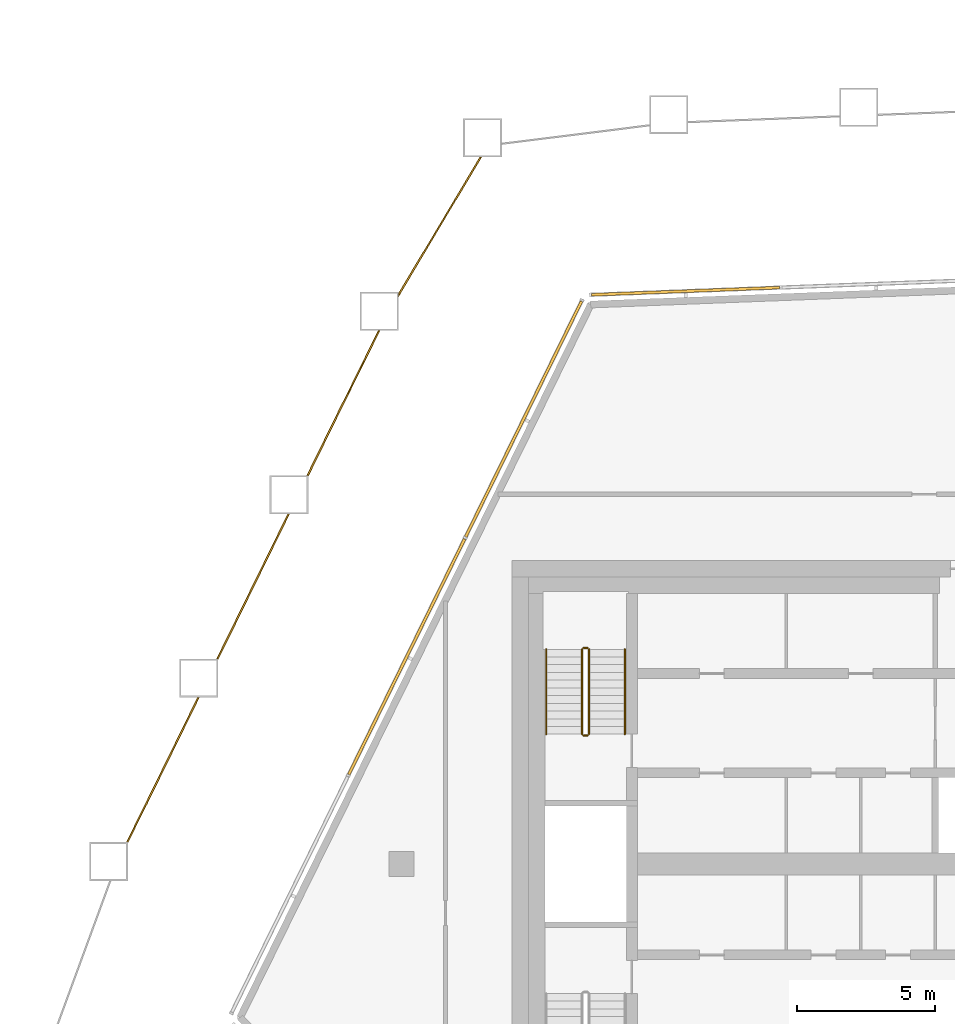
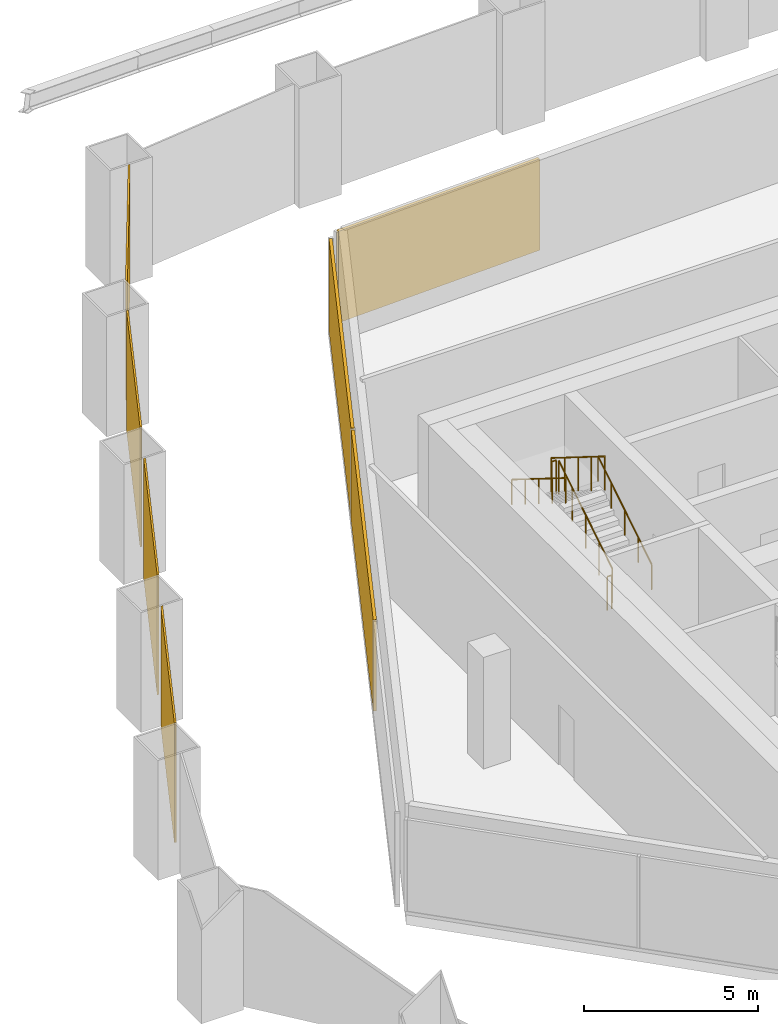
# One storey, part 16 of 18: 7 coverings, 6 railings, 2 elements without a shape of their own.
"""IFC4 building model written with IfcOpenShell, lengths in metres."""

import ifcopenshell
import ifcopenshell.guid

model = None  # the IFC model being written
_history = None  # IfcOwnerHistory: only IFC2X3 demands one
_inside = {}  # id of a spatial element -> (the spatial element, [elements in it])
_under = {}  # id of a project, library or spatial element -> (it, [spatial elements below it])
_declared = {}  # id of a project -> (the project, [libraries it declares])
_typed = {}  # id of a type object -> (the type object, [elements of that type])
_made_of = {}  # id of a material, layer set ... -> (it, [elements and type objects made of it])


def new_model(schema):
    """Start an empty IFC model of exactly this schema.

    Asked for "IFC4X3", IfcOpenShell would pick the latest addendum, in which some entities
    have other attributes; the version numbers below select the first issue.
    IFC2X3 requires an IfcOwnerHistory on every rooted entity: one is made here for all.
    """
    global model, _history
    if schema == "IFC4X3":
        model = ifcopenshell.file(schema_version=(4, 3, 0, 0))
    else:
        model = ifcopenshell.file(schema=schema)
    _inside.clear()
    _under.clear()
    _declared.clear()
    _typed.clear()
    _made_of.clear()
    _history = None
    if model.schema == "IFC2X3":
        org = make("IfcOrganization", Name="unknown")
        user = make(
            "IfcPersonAndOrganization",
            ThePerson=make("IfcPerson", FamilyName="unknown"),
            TheOrganization=org,
        )
        app = make(
            "IfcApplication",
            ApplicationDeveloper=org,
            Version="unknown",
            ApplicationFullName="unknown",
            ApplicationIdentifier="unknown",
        )
        _history = make(
            "IfcOwnerHistory",
            OwningUser=user,
            OwningApplication=app,
            ChangeAction="ADDED",
            CreationDate=0,
        )
    return model


def make(cls, **values):
    """One entity of the class cls with the attributes given. An attribute that is None is left unset."""
    return model.create_entity(
        cls, **{name: value for name, value in values.items() if value is not None}
    )


def rooted(cls, **values):
    """An entity with a GlobalId (a new one), such as an element, a storey or a relation."""
    return make(cls, GlobalId=ifcopenshell.guid.new(), OwnerHistory=_history, **values)


def si_unit(unit_type, name, prefix=None):
    """IfcSIUnit, for example si_unit("LENGTHUNIT", "METRE", prefix="MILLI")."""
    return make("IfcSIUnit", UnitType=unit_type, Prefix=prefix, Name=name)


def assignment(units):
    """IfcUnitAssignment: the units of a project."""
    return None if units is None else make("IfcUnitAssignment", Units=units)


def point(xyz):
    """IfcCartesianPoint."""
    return None if xyz is None else make("IfcCartesianPoint", Coordinates=xyz)


def direction(xyz):
    """IfcDirection."""
    return None if xyz is None else make("IfcDirection", DirectionRatios=xyz)


def frame(location, z_axis=None, x_axis=None):
    """IfcAxis2Placement3D, a coordinate frame: its origin and axes. An axis left out is left unset."""
    return make(
        "IfcAxis2Placement3D",
        Location=point(location),
        Axis=direction(z_axis),
        RefDirection=direction(x_axis),
    )


def frame_2d(location, x_axis=None):
    """IfcAxis2Placement2D, a coordinate frame in the plane: its origin and x axis."""
    return make(
        "IfcAxis2Placement2D", Location=point(location), RefDirection=direction(x_axis)
    )


def origin():
    """The frame at (0, 0, 0) with its axes left unset."""
    return frame((0.0, 0.0, 0.0))


def origin_2d():
    """The frame at (0, 0) in the plane with its x axis left unset."""
    return frame_2d((0.0, 0.0))


def place(relative_to, where):
    """IfcLocalPlacement: puts the frame where relative to a parent placement (None: the world)."""
    return make(
        "IfcLocalPlacement", PlacementRelTo=relative_to, RelativePlacement=where
    )


def context(
    kind, dimensions, precision=None, world=None, true_north=None, identifier=None
):
    """IfcGeometricRepresentationContext, for example the 3D "Model" context."""
    return make(
        "IfcGeometricRepresentationContext",
        ContextIdentifier=identifier,
        ContextType=kind,
        CoordinateSpaceDimension=dimensions,
        Precision=precision,
        WorldCoordinateSystem=world,
        TrueNorth=true_north,
    )


def subcontext(parent, identifier, kind, view, scale=None):
    """IfcGeometricRepresentationSubContext, for example "Body" below "Model"."""
    return make(
        "IfcGeometricRepresentationSubContext",
        ContextIdentifier=identifier,
        ContextType=kind,
        ParentContext=parent,
        TargetScale=scale,
        TargetView=view,
    )


def project(units=None, contexts=None):
    """IfcProject with its units and contexts."""
    return rooted(
        "IfcProject",
        Name="project",
        RepresentationContexts=contexts,
        UnitsInContext=assignment(units),
    )


def spatial(cls, under=None, at=None, **own):
    """A site, building, storey or space (cls), placed at a placement, below another one or the project."""
    s = rooted(cls, ObjectPlacement=at, **own)
    if under is not None:
        _under.setdefault(under.id(), (under, []))[1].append(s)
    return s


def polyline(points):
    """IfcPolyline through the points."""
    return make("IfcPolyline", Points=[point(p) for p in points])


def profile(cls, at=None, kind="AREA", **sizes):
    """A parametric profile (cls). Its sizes go by their IFC names, for example OverallWidth=200.0."""
    return make(cls, ProfileType=kind, Position=at, **sizes)


def rectangle(**sizes):
    """IfcRectangleProfileDef."""
    return profile("IfcRectangleProfileDef", **sizes)


def circle(**sizes):
    """IfcCircleProfileDef."""
    return profile("IfcCircleProfileDef", **sizes)


def outline(outer, holes=None, kind="AREA"):
    """IfcArbitraryClosedProfileDef: a profile drawn as a closed curve; with holes, ...WithVoids."""
    if holes is None:
        return make("IfcArbitraryClosedProfileDef", ProfileType=kind, OuterCurve=outer)
    return make(
        "IfcArbitraryProfileDefWithVoids",
        ProfileType=kind,
        OuterCurve=outer,
        InnerCurves=holes,
    )


def extrude(swept, where, along, depth):
    """IfcExtrudedAreaSolid: the profile swept, set in the frame where, extruded along a direction by depth."""
    return make(
        "IfcExtrudedAreaSolid",
        SweptArea=swept,
        Position=where,
        ExtrudedDirection=direction(along),
        Depth=depth,
    )


def shape(context_of_items, identifier, shape_type, items):
    """IfcShapeRepresentation: the items that make up one representation, for example the "Body"."""
    return make(
        "IfcShapeRepresentation",
        ContextOfItems=context_of_items,
        RepresentationIdentifier=identifier,
        RepresentationType=shape_type,
        Items=items,
    )


def material(Name=None, Category=None):
    """IfcMaterial."""
    return make("IfcMaterial", Name=Name, Category=Category)


def layer(
    of_material, thickness, ventilated=None, Name=None, Category=None, Priority=None
):
    """IfcMaterialLayer: one layer of a wall or slab, of a material (None: an air gap)."""
    return make(
        "IfcMaterialLayer",
        Material=of_material,
        LayerThickness=thickness,
        IsVentilated=ventilated,
        Name=Name,
        Category=Category,
        Priority=Priority,
    )


def layer_set(layers, Name=None):
    """IfcMaterialLayerSet."""
    return make("IfcMaterialLayerSet", MaterialLayers=layers, LayerSetName=Name)


def made_of(thing, what):
    """Note that an element or type object is made of a material, layer set ...; save() writes the relation."""
    if what is not None:
        _made_of.setdefault(what.id(), (what, []))[1].append(thing)
    return thing


def type_object(cls, material=None, **own):
    """A type object (cls), such as IfcWallType, which elements share."""
    return made_of(rooted(cls, **own), material)


def element(
    cls,
    number,
    at=None,
    inside=None,
    cuts=None,
    type_object=None,
    material=None,
    context=None,
    identifier="Body",
    shape_type=None,
    held_by="IfcProductDefinitionShape",
    body=None,
    shapes=None,
    **own,
):
    """One element of the class cls, such as IfcWall. Its Tag is "e" and its number.

    at: its placement. inside: the storey or other place that contains it. cuts: it is an
    opening in that element (IfcRelVoidsElement). A single representation is given by context,
    identifier, shape_type and body (its items); several are given by shapes. held_by: the class
    of the entity that holds the representations. save() writes the other relations.
    """
    e = rooted(cls, Tag="e%d" % number, ObjectPlacement=at, **own)
    if body is not None:
        shapes = [shape(context, identifier, shape_type, body)]
    if shapes is not None:
        e.Representation = make(held_by, Representations=shapes)
    if inside is not None:
        _inside.setdefault(inside.id(), (inside, []))[1].append(e)
    if cuts is not None:
        rooted(
            "IfcRelVoidsElement", RelatingBuildingElement=cuts, RelatedOpeningElement=e
        )
    if type_object is not None:
        _typed.setdefault(type_object.id(), (type_object, []))[1].append(e)
    return made_of(e, material)


def aggregate(whole, parts):
    """IfcRelAggregates: a whole, such as a stair, and the parts it consists of."""
    return rooted("IfcRelAggregates", RelatingObject=whole, RelatedObjects=parts)


def save(model, path):
    """Write the relations noted so far, then the file.

    IfcRelAggregates (storeys below a building ...), IfcRelContainedInSpatialStructure (elements
    in a storey), IfcRelDefinesByType, IfcRelAssociatesMaterial and IfcRelDeclares: one each for
    every whole, place, type object, material and project.
    """
    for whole, parts in _under.values():
        aggregate(whole, parts)
    for where, things in _inside.values():
        rooted(
            "IfcRelContainedInSpatialStructure",
            RelatedElements=things,
            RelatingStructure=where,
        )
    for kind, things in _typed.values():
        rooted("IfcRelDefinesByType", RelatedObjects=things, RelatingType=kind)
    for what, things in _made_of.values():
        rooted("IfcRelAssociatesMaterial", RelatedObjects=things, RelatingMaterial=what)
    for by, libraries in _declared.values():
        rooted("IfcRelDeclares", RelatingContext=by, RelatedDefinitions=libraries)
    model.write(path)


model = new_model("IFC4")

# Units and contexts
model_context = context("Model", 3, precision=1e-05, world=origin(), true_north=direction((0.0, 1.0)))
body_context = subcontext(model_context, "Body", "Model", "MODEL_VIEW")
ifc_project = project(units=[si_unit("LENGTHUNIT", "METRE"), si_unit("AREAUNIT", "SQUARE_METRE"), si_unit("VOLUMEUNIT", "CUBIC_METRE"), si_unit("PLANEANGLEUNIT", "RADIAN"), si_unit("MASSUNIT", "GRAM", prefix="KILO")], contexts=[model_context])

# Site, building, storey
site_placement = place(None, origin())
site = spatial("IfcSite", under=ifc_project, at=site_placement, CompositionType="ELEMENT")
building_placement = place(site_placement, origin())
building = spatial("IfcBuilding", under=site, at=building_placement, Name="Dongbaek Canopy Tower", CompositionType="ELEMENT")
storey_placement = place(building_placement, frame((0.0, 0.0, 371.60009765625)))
storey = spatial("IfcBuildingStorey", under=building, at=storey_placement, Name="L80", CompositionType="ELEMENT", Elevation=371.60009765625)

# Coverings
ifc_material_1 = material(Name="Perforated pale metal")
ifc_layer_1 = layer(ifc_material_1, 0.06005859375)
ifc_layer_set_1 = layer_set([ifc_layer_1], Name="Crown plant screen")
covering_type_1 = type_object("IfcCoveringType", Name="Crown plant screen", PredefinedType="CLADDING", material=ifc_layer_set_1)
covering_1_placement = place(storey_placement, origin())
element("IfcCovering", 1, at=covering_1_placement, inside=storey, type_object=covering_type_1, Name="Crown plant screen 22 L80", PredefinedType="CLADDING", context=body_context, shape_type="SweptSolid", body=[
    extrude(outline(polyline([(-15.16455078125, 25.62109375), (-15.0947265625, 25.62109375), (-18.10595703125, 20.562744140625), (-18.10595703125, 20.679931640625), (-15.16455078125, 25.62109375)])), origin(), (0.0, 0.0, 1.0), 4.199951171875),
])
covering_2_placement = place(storey_placement, origin())
element("IfcCovering", 2, at=covering_2_placement, inside=storey, type_object=covering_type_1, Name="Crown plant screen 23 L80", PredefinedType="CLADDING", context=body_context, shape_type="SweptSolid", body=[
    extrude(outline(polyline([(-18.849365234375, 19.33203125), (-18.78271484375, 19.33203125), (-21.3759765625, 14.0595703125), (-21.3759765625, 14.083984375), (-21.430908203125, 14.083984375), (-18.849365234375, 19.33203125)])), origin(), (0.0, 0.0, 1.0), 4.199951171875),
])
covering_3_placement = place(storey_placement, origin())
element("IfcCovering", 3, at=covering_3_placement, inside=storey, type_object=covering_type_1, Name="Crown plant screen 24 L80", PredefinedType="CLADDING", context=body_context, shape_type="SweptSolid", body=[
    extrude(outline(polyline([(-22.119384765625, 12.68408203125), (-22.052490234375, 12.68408203125), (-24.64697265625, 7.410400390625), (-24.64697265625, 7.43505859375), (-24.70166015625, 7.43505859375), (-22.119384765625, 12.68408203125)])), origin(), (0.0, 0.0, 1.0), 4.199951171875),
])
covering_4_placement = place(storey_placement, origin())
element("IfcCovering", 4, at=covering_4_placement, inside=storey, type_object=covering_type_1, Name="Crown plant screen 25 L80", PredefinedType="CLADDING", context=body_context, shape_type="SweptSolid", body=[
    extrude(outline(polyline([(-25.390380859375, 6.034912109375), (-25.323486328125, 6.034912109375), (-27.9169921875, 0.76171875), (-27.9169921875, 0.785888671875), (-27.971923828125, 0.785888671875), (-25.390380859375, 6.034912109375)])), origin(), (0.0, 0.0, 1.0), 4.199951171875),
])

# Curtain wall, covering
ifc_material_2 = material(Name="Aluminium 6063-T6 pale anodised", Category="aluminium")
ifc_layer_2 = layer(ifc_material_2, 0.14990234375)
ifc_layer_set_2 = layer_set([ifc_layer_2], Name="CW-7 louvre curtain wall")
curtain_wall_type = type_object("IfcCurtainWallType", Name="CW-7 louvre curtain wall", PredefinedType="NOTDEFINED", material=ifc_layer_set_2)
curtain_wall_1_placement = place(storey_placement, origin())
curtain_wall_1 = element("IfcCurtainWall", 5, at=curtain_wall_1_placement, inside=storey, type_object=curtain_wall_type, Name="CW-7 louvre wall L80 F3", PredefinedType="NOTDEFINED")
ifc_material_3 = material(Name="Aluminium 6063-T6 pale metal louvre blades", Category="aluminium")
ifc_layer_3 = layer(ifc_material_3, 0.10009765625)
ifc_layer_set_3 = layer_set([ifc_layer_3], Name="Louvre LV bank 100 x 3200")
covering_type_2 = type_object("IfcCoveringType", Name="Louvre LV bank 100 x 3200", PredefinedType="CLADDING", material=ifc_layer_set_3)
covering_5_placement = place(storey_placement, frame((-7.6982421875, 20.76171875, 0.2998046875), z_axis=(0.0, 0.0, 1.0), x_axis=(-0.999268890611, -0.038231979514, 0.0)))
covering_5 = element("IfcCovering", 6, at=covering_5_placement, type_object=covering_type_2, Name="Louvre L80 F3.1.3", PredefinedType="CLADDING", context=body_context, shape_type="SweptSolid", body=[
    extrude(rectangle(XDim=6.822265625, YDim=0.10009765625, at=origin_2d()), origin(), (0.0, 0.0, 1.0), 3.199951171875),
])
aggregate(curtain_wall_1, [covering_5])

# Curtain wall, coverings
curtain_wall_2_placement = place(storey_placement, origin())
curtain_wall_2 = element("IfcCurtainWall", 7, at=curtain_wall_2_placement, inside=storey, type_object=curtain_wall_type, Name="CW-7 louvre wall L80 F4", PredefinedType="NOTDEFINED")
covering_6_placement = place(storey_placement, frame((-13.5712890625, 16.126220703125, 0.2998046875), z_axis=(0.0, 0.0, 1.0), x_axis=(-0.441341619439, -0.897339163834, 0.0)))
covering_6 = element("IfcCovering", 8, at=covering_6_placement, type_object=covering_type_2, Name="Louvre L80 F4.1.1", PredefinedType="CLADDING", context=body_context, shape_type="SweptSolid", body=[
    extrude(rectangle(XDim=9.51171875, YDim=0.10009765625, at=origin_2d()), origin(), (0.0, 0.0, 1.0), 3.199951171875),
])
covering_7_placement = place(storey_placement, frame((-17.808837890625, 7.51025390625, 0.2998046875), z_axis=(0.0, 0.0, 1.0), x_axis=(-0.441341619439, -0.897339163834, 0.0)))
covering_7 = element("IfcCovering", 9, at=covering_7_placement, type_object=covering_type_2, Name="Louvre L80 F4.1.2", PredefinedType="CLADDING", context=body_context, shape_type="SweptSolid", body=[
    extrude(rectangle(XDim=9.51171875, YDim=0.10009765625, at=origin_2d()), origin(), (0.0, 0.0, 1.0), 3.199951171875),
])
aggregate(curtain_wall_2, [covering_6, covering_7])

# Railings
ifc_material_4 = material(Name="Stainless steel tube and balusters", Category="steel")
railing_type_1 = type_object("IfcRailingType", Name="Stair guard 1200", PredefinedType="GUARDRAIL", material=ifc_material_4)
railing_1_placement = place(storey_placement, frame((-11.199951171875, 4.699951171875, 0.1748046875)))
element("IfcRailing", 10, at=railing_1_placement, inside=storey, type_object=railing_type_1, Name="L80 ST-C stair guard 1", PredefinedType="GUARDRAIL", context=body_context, shape_type="SweptSolid", body=[
    extrude(circle(Radius=0.02392578125, at=origin_2d()), frame((0.0, 0.0, 1.17578125), z_axis=(0.0, 0.847998304005, 0.529998940003), x_axis=(-1.0, 0.0, 0.0)), (0.0, 0.0, 1.0), 3.632080078125),
    extrude(circle(Radius=0.02099609375, at=origin_2d()), origin(), (0.0, 0.0, 1.0), 1.15185546875),
    extrude(circle(Radius=0.02099609375, at=origin_2d()), frame((0.0, 0.77001953125, 0.481201171875)), (0.0, 0.0, 1.0), 1.15185546875),
    extrude(circle(Radius=0.02099609375, at=origin_2d()), frame((0.0, 1.5400390625, 0.96240234375)), (0.0, 0.0, 1.0), 1.15185546875),
    extrude(circle(Radius=0.02099609375, at=origin_2d()), frame((0.0, 2.31005859375, 1.44384765625)), (0.0, 0.0, 1.0), 1.15185546875),
    extrude(circle(Radius=0.02099609375, at=origin_2d()), frame((0.0, 3.080078125, 1.925048828125)), (0.0, 0.0, 1.0), 1.15185546875),
])
railing_2_placement = place(storey_placement, frame((-11.25, 7.830078125, 2.099853515625)))
element("IfcRailing", 11, at=railing_2_placement, inside=storey, type_object=railing_type_1, Name="L80 ST-C stair guard 2", PredefinedType="GUARDRAIL", context=body_context, shape_type="SweptSolid", body=[
    extrude(circle(Radius=0.02392578125, at=origin_2d()), frame((0.0, 0.0, 1.17578125), z_axis=(-1.0, 0.0, 0.0), x_axis=(0.0, -1.0, 0.0)), (0.0, 0.0, 1.0), 0.14990234375),
    extrude(circle(Radius=0.02099609375, at=origin_2d()), origin(), (0.0, 0.0, 1.0), 1.15185546875),
    extrude(circle(Radius=0.02099609375, at=origin_2d()), frame((-0.14990234375, 0.0, 0.0)), (0.0, 0.0, 1.0), 1.15185546875),
])
railing_3_placement = place(storey_placement, frame((-11.449951171875, 7.780029296875, 2.27490234375)))
element("IfcRailing", 12, at=railing_3_placement, inside=storey, type_object=railing_type_1, Name="L80 ST-C stair guard 3", PredefinedType="GUARDRAIL", context=body_context, shape_type="SweptSolid", body=[
    extrude(circle(Radius=0.02392578125, at=origin_2d()), frame((0.0, 0.0, 1.17578125), z_axis=(0.0, -0.847998304005, 0.529998940003), x_axis=(1.0, 0.0, 0.0)), (0.0, 0.0, 1.0), 3.632080078125),
    extrude(circle(Radius=0.02099609375, at=origin_2d()), origin(), (0.0, 0.0, 1.0), 1.15185546875),
    extrude(circle(Radius=0.02099609375, at=origin_2d()), frame((0.0, -0.77001953125, 0.481201171875)), (0.0, 0.0, 1.0), 1.15185546875),
    extrude(circle(Radius=0.02099609375, at=origin_2d()), frame((0.0, -1.5400390625, 0.96240234375)), (0.0, 0.0, 1.0), 1.15185546875),
    extrude(circle(Radius=0.02099609375, at=origin_2d()), frame((0.0, -2.31005859375, 1.44384765625)), (0.0, 0.0, 1.0), 1.15185546875),
    extrude(circle(Radius=0.02099609375, at=origin_2d()), frame((0.0, -3.080078125, 1.925048828125)), (0.0, 0.0, 1.0), 1.15185546875),
])
railing_4_placement = place(storey_placement, frame((-11.25, 4.64990234375, 0.0)))
element("IfcRailing", 13, at=railing_4_placement, inside=storey, type_object=railing_type_1, Name="L80 ST-C stair guard 4", PredefinedType="GUARDRAIL", context=body_context, shape_type="SweptSolid", body=[
    extrude(circle(Radius=0.02392578125, at=origin_2d()), frame((0.0, 0.0, 1.17578125), z_axis=(-1.0, 0.0, 0.0), x_axis=(0.0, -1.0, 0.0)), (0.0, 0.0, 1.0), 0.14990234375),
    extrude(circle(Radius=0.02099609375, at=origin_2d()), origin(), (0.0, 0.0, 1.0), 1.15185546875),
    extrude(circle(Radius=0.02099609375, at=origin_2d()), frame((-0.14990234375, 0.0, 0.0)), (0.0, 0.0, 1.0), 1.15185546875),
])
ifc_material_5 = material(Name="Stainless steel tube", Category="steel")
railing_type_2 = type_object("IfcRailingType", Name="Stair handrail 900", PredefinedType="HANDRAIL", material=ifc_material_5)
railing_5_placement = place(storey_placement, frame((-9.89990234375, 4.699951171875, 0.1748046875)))
element("IfcRailing", 14, at=railing_5_placement, inside=storey, type_object=railing_type_2, Name="L80 ST-C stair handrail 1", PredefinedType="HANDRAIL", context=body_context, shape_type="SweptSolid", body=[
    extrude(circle(Radius=0.02392578125, at=origin_2d()), frame((0.0, 0.0, 0.8759765625), z_axis=(0.0, 0.847998304005, 0.529998940003), x_axis=(-1.0, 0.0, 0.0)), (0.0, 0.0, 1.0), 3.632080078125),
    extrude(circle(Radius=0.02099609375, at=origin_2d()), origin(), (0.0, 0.0, 1.0), 0.851806640625),
    extrude(circle(Radius=0.02099609375, at=origin_2d()), frame((0.0, 0.77001953125, 0.481201171875)), (0.0, 0.0, 1.0), 0.851806640625),
    extrude(circle(Radius=0.02099609375, at=origin_2d()), frame((0.0, 1.5400390625, 0.96240234375)), (0.0, 0.0, 1.0), 0.851806640625),
    extrude(circle(Radius=0.02099609375, at=origin_2d()), frame((0.0, 2.31005859375, 1.44384765625)), (0.0, 0.0, 1.0), 0.851806640625),
    extrude(circle(Radius=0.02099609375, at=origin_2d()), frame((0.0, 3.080078125, 1.925048828125)), (0.0, 0.0, 1.0), 0.851806640625),
])
railing_6_placement = place(storey_placement, frame((-12.75, 7.780029296875, 2.27490234375)))
element("IfcRailing", 15, at=railing_6_placement, inside=storey, type_object=railing_type_2, Name="L80 ST-C stair handrail 2", PredefinedType="HANDRAIL", context=body_context, shape_type="SweptSolid", body=[
    extrude(circle(Radius=0.02392578125, at=origin_2d()), frame((0.0, 0.0, 0.8759765625), z_axis=(0.0, -0.847998304005, 0.529998940003), x_axis=(1.0, 0.0, 0.0)), (0.0, 0.0, 1.0), 3.632080078125),
    extrude(circle(Radius=0.02099609375, at=origin_2d()), origin(), (0.0, 0.0, 1.0), 0.851806640625),
    extrude(circle(Radius=0.02099609375, at=origin_2d()), frame((0.0, -0.77001953125, 0.481201171875)), (0.0, 0.0, 1.0), 0.851806640625),
    extrude(circle(Radius=0.02099609375, at=origin_2d()), frame((0.0, -1.5400390625, 0.96240234375)), (0.0, 0.0, 1.0), 0.851806640625),
    extrude(circle(Radius=0.02099609375, at=origin_2d()), frame((0.0, -2.31005859375, 1.44384765625)), (0.0, 0.0, 1.0), 0.851806640625),
    extrude(circle(Radius=0.02099609375, at=origin_2d()), frame((0.0, -3.080078125, 1.925048828125)), (0.0, 0.0, 1.0), 0.851806640625),
])

save(model, "model.ifc")
